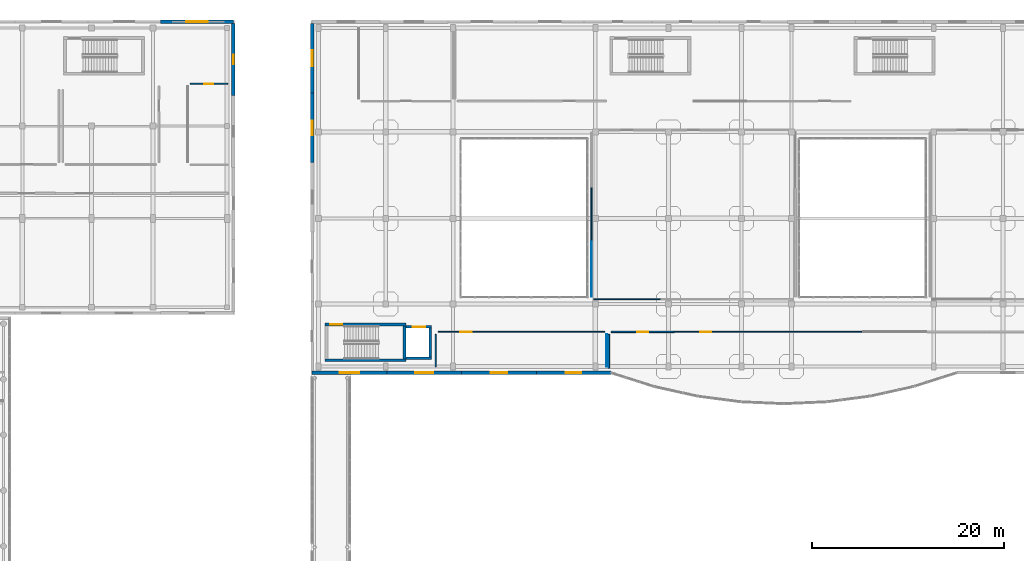
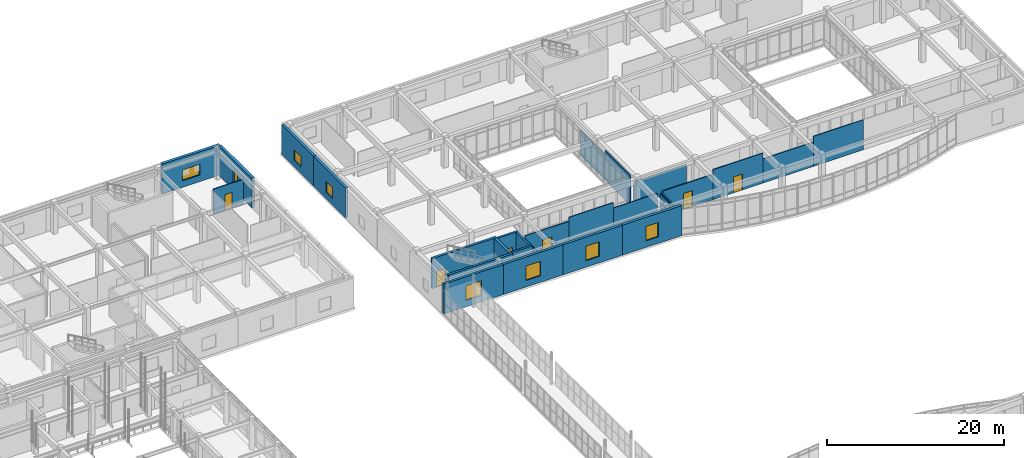
# One storey, part 125 of 142: 28 walls, 8 windows, 6 doors, 14 openings.
"""IFC4 building model written with IfcOpenShell, lengths in metres."""

from ifc_helpers import new_model, si_unit, direction, frame, frame_2d, origin, place, context, subcontext, project, spatial, rectangle, extrude, material, layer, layer_set, type_object, element, fill, save


model = new_model("IFC4")

# Units and contexts
model_context = context("Model", 3, precision=1e-05, world=origin(), true_north=direction((0.0, 1.0)))
body_context = subcontext(model_context, "Body", "Model", "MODEL_VIEW")
ifc_project = project(units=[si_unit("LENGTHUNIT", "METRE"), si_unit("AREAUNIT", "SQUARE_METRE"), si_unit("VOLUMEUNIT", "CUBIC_METRE"), si_unit("PLANEANGLEUNIT", "RADIAN"), si_unit("MASSUNIT", "GRAM", prefix="KILO")], contexts=[model_context])

# Site, building, storey
site_placement = place(None, origin())
site = spatial("IfcSite", under=ifc_project, at=site_placement, CompositionType="ELEMENT")
building_placement = place(site_placement, origin())
building = spatial("IfcBuilding", under=site, at=building_placement, Name="Valcora Specialist Clinic", CompositionType="ELEMENT")
storey_placement = place(building_placement, frame((0.0, 0.0, 5.10009765625)))
storey = spatial("IfcBuildingStorey", under=building, at=storey_placement, Name="L01", CompositionType="ELEMENT", Elevation=5.10009765625)

# Wall
ifc_material_1 = material(Name="Concrete C40/50", Category="concrete")
ifc_layer_1 = layer(ifc_material_1, 0.300048828125)
ifc_layer_set_1 = layer_set([ifc_layer_1], Name="Concrete C40/50")
wall_type_1 = type_object("IfcWallType", Name="TY-WL-CR300", PredefinedType="SHEAR", material=ifc_layer_set_1)
wall_1_placement = place(storey_placement, frame((62.699951171875, 75.449951171875, 0.0), z_axis=(0.0, 0.0, 1.0), x_axis=(1.0, 0.0, 0.0)))
element("IfcWall", 1, at=wall_1_placement, inside=storey, type_object=wall_type_1, Name="Core shear wall WL-CR-C-V4A-L01-S", PredefinedType="SHEAR", context=body_context, shape_type="SweptSolid", body=[
    extrude(rectangle(XDim=8.420166015625, YDim=0.300048828125, at=frame_2d((4.2099609375, 0.0))), origin(), (0.0, 0.0, 1.0), 4.14501953125),
])

# Wall, opening, door
wall_2_placement = place(storey_placement, frame((62.699951171875, 79.14990234375, 0.0), z_axis=(0.0, 0.0, 1.0), x_axis=(1.0, 0.0, 0.0)))
wall_2 = element("IfcWall", 2, at=wall_2_placement, inside=storey, type_object=wall_type_1, Name="Core shear wall WL-CR-C-V4A-L01-N", PredefinedType="SHEAR", context=body_context, shape_type="SweptSolid", body=[
    extrude(rectangle(XDim=8.420166015625, YDim=0.300048828125, at=frame_2d((4.2099609375, 0.0))), origin(), (0.0, 0.0, 1.0), 4.14501953125),
])
opening_1_placement = place(wall_2_placement, frame((0.550048828125, 0.0, 0.0)))
opening_1 = element("IfcOpeningElement", 3, at=opening_1_placement, cuts=wall_2, Name="Opening DR-FD-120", PredefinedType="OPENING", context=body_context, shape_type="SweptSolid", body=[
    extrude(rectangle(XDim=1.199951171875, YDim=2.199951171875, at=frame_2d((0.60009765625, 1.10009765625))), frame((0.0, 0.159912109375, 0.0), z_axis=(0.0, -1.0, 0.0), x_axis=(1.0, 0.0, 0.0)), (0.0, 0.0, 1.0), 0.320068359375),
])
ifc_material_2 = material(Name="Galvanized Hollow Metal Door Steel ASTM A653", Category="steel")
door_type_1 = type_object("IfcDoorType", Name="TY-DR-ST120", OperationType="NOTDEFINED", PredefinedType="DOOR", material=ifc_material_2)
door_1_placement = place(opening_1_placement, origin())
door_1 = element("IfcDoor", 4, at=door_1_placement, inside=storey, type_object=door_type_1, Name="Exit stair fire door C-V4A L01", OperationType="SINGLE_SWING_RIGHT", OverallHeight=2.199951171875, OverallWidth=1.199951171875, PredefinedType="DOOR", context=body_context, shape_type="SweptSolid", body=[
    extrude(rectangle(XDim=1.199951171875, YDim=2.199951171875, at=frame_2d((0.60009765625, 1.10009765625))), frame((0.0, 0.02490234375, 0.0), z_axis=(0.0, -1.0, 0.0), x_axis=(1.0, 0.0, 0.0)), (0.0, 0.0, 1.0), 0.050048828125),
])
fill(opening_1, door_1)

# Wall
ifc_layer_2 = layer(ifc_material_1, 0.320068359375)
ifc_layer_set_2 = layer_set([ifc_layer_2], Name="Concrete C40/50")
wall_type_2 = type_object("IfcWallType", Name="TY-WL-CR320", PredefinedType="SHEAR", material=ifc_layer_set_2)
wall_3_placement = place(storey_placement, frame((70.9599609375, 75.60205078125, 0.0), z_axis=(0.0, 0.0, 1.0), x_axis=(0.0, 1.0, 0.0)))
element("IfcWall", 5, at=wall_3_placement, inside=storey, type_object=wall_type_2, Name="Core shear wall WL-CR-C-V4A-L01-E", PredefinedType="SHEAR", context=body_context, shape_type="SweptSolid", body=[
    extrude(rectangle(XDim=3.39599609375, YDim=0.320068359375, at=frame_2d((1.697998046875, 0.0))), origin(), (0.0, 0.0, 1.0), 4.14501953125),
])

# Wall, opening, window
ifc_material_3 = material(Name="Extruded Jalisco Clay Brick Masonry", Category="masonry")
ifc_layer_3 = layer(ifc_material_3, 0.324951171875)
ifc_layer_set_3 = layer_set([ifc_layer_3], Name="Extruded Jalisco Clay Brick Masonry")
wall_type_3 = type_object("IfcWallType", Name="TY-WL-EW325", PredefinedType="SOLIDWALL", material=ifc_layer_set_3)
wall_4_placement = place(storey_placement, frame((69.118408203125, 74.14990234375, 0.0), z_axis=(0.0, 0.0, 1.0), x_axis=(-1.0, 0.0, 0.0)))
wall_4 = element("IfcWall", 6, at=wall_4_placement, inside=storey, type_object=wall_type_3, Name="Exterior wall WL-EXT-L01-0174", PredefinedType="SOLIDWALL", context=body_context, shape_type="SweptSolid", body=[
    extrude(rectangle(XDim=7.768310546875, YDim=0.324951171875, at=frame_2d((3.88427734375, 0.0))), origin(), (0.0, 0.0, 1.0), 4.14501953125),
])
opening_2_placement = place(wall_4_placement, frame((2.85888671875, 0.0, 0.89990234375)))
opening_2 = element("IfcOpeningElement", 7, at=opening_2_placement, cuts=wall_4, Name="Opening WN-27", PredefinedType="OPENING", context=body_context, shape_type="SweptSolid", body=[
    extrude(rectangle(XDim=2.050048828125, YDim=2.0, at=frame_2d((1.02490234375, 1.0))), frame((0.0, 0.17236328125, 0.0), z_axis=(0.0, -1.0, 0.0), x_axis=(1.0, 0.0, 0.0)), (0.0, 0.0, 1.0), 0.344970703125),
])
ifc_material_4 = material(Name="Low-E Laminated Insulating Glass", Category="glass")
window_type_1 = type_object("IfcWindowType", Name="TY-WN-27", PartitioningType="SINGLE_PANEL", PredefinedType="WINDOW", material=ifc_material_4)
window_1_placement = place(opening_2_placement, origin())
window_1 = element("IfcWindow", 8, at=window_1_placement, inside=storey, type_object=window_type_1, Name="Facade window WN-L01-0153", OverallHeight=2.0, OverallWidth=2.050048828125, PartitioningType="SINGLE_PANEL", PredefinedType="WINDOW", context=body_context, shape_type="SweptSolid", body=[
    extrude(rectangle(XDim=2.050048828125, YDim=2.0, at=frame_2d((1.02490234375, 1.0))), frame((0.0, 0.030029296875, 0.0), z_axis=(0.0, -1.0, 0.0), x_axis=(1.0, 0.0, 0.0)), (0.0, 0.0, 1.0), 0.06005859375),
])
fill(opening_2, window_1)

ifc_layer_4 = layer(ifc_material_3, 0.340087890625)
ifc_layer_set_4 = layer_set([ifc_layer_4], Name="Extruded Jalisco Clay Brick Masonry")
wall_type_4 = type_object("IfcWallType", Name="TY-WL-EW340", PredefinedType="SOLIDWALL", material=ifc_layer_set_4)
wall_5_placement = place(storey_placement, frame((61.35009765625, 103.236083984375, 0.0), z_axis=(0.0, 0.0, 1.0), x_axis=(0.0, 1.0, 0.0)))
wall_5 = element("IfcWall", 9, at=wall_5_placement, inside=storey, type_object=wall_type_4, Name="Exterior wall WL-EXT-L01-0153", PredefinedType="SOLIDWALL", context=body_context, shape_type="SweptSolid", body=[
    extrude(rectangle(XDim=7.223876953125, YDim=0.340087890625, at=frame_2d((3.61181640625, 0.0))), origin(), (0.0, 0.0, 1.0), 4.14501953125),
])
opening_3_placement = place(wall_5_placement, frame((2.787109375, 0.0, 0.89990234375)))
opening_3 = element("IfcOpeningElement", 10, at=opening_3_placement, cuts=wall_5, Name="Opening WN-06", PredefinedType="OPENING", context=body_context, shape_type="SweptSolid", body=[
    extrude(rectangle(XDim=1.64990234375, YDim=1.5, at=frame_2d((0.824951171875, 0.75))), frame((0.0, 0.179931640625, 0.0), z_axis=(0.0, -1.0, 0.0), x_axis=(1.0, 0.0, 0.0)), (0.0, 0.0, 1.0), 0.360107421875),
])
window_type_2 = type_object("IfcWindowType", Name="TY-WN-06", PartitioningType="SINGLE_PANEL", PredefinedType="WINDOW", material=ifc_material_4)
window_2_placement = place(opening_3_placement, origin())
window_2 = element("IfcWindow", 11, at=window_2_placement, inside=storey, type_object=window_type_2, Name="Facade window WN-L01-0132", OverallHeight=1.5, OverallWidth=1.64990234375, PartitioningType="SINGLE_PANEL", PredefinedType="WINDOW", context=body_context, shape_type="SweptSolid", body=[
    extrude(rectangle(XDim=1.64990234375, YDim=1.5, at=frame_2d((0.824951171875, 0.75))), frame((0.0, 0.030029296875, 0.0), z_axis=(0.0, -1.0, 0.0), x_axis=(1.0, 0.0, 0.0)), (0.0, 0.0, 1.0), 0.06005859375),
])
fill(opening_3, window_2)

wall_6_placement = place(storey_placement, frame((76.88671875, 74.14990234375, 0.0), z_axis=(0.0, 0.0, 1.0), x_axis=(-1.0, 0.0, 0.0)))
wall_6 = element("IfcWall", 12, at=wall_6_placement, inside=storey, type_object=wall_type_4, Name="Exterior wall WL-EXT-L01-0173", PredefinedType="SOLIDWALL", context=body_context, shape_type="SweptSolid", body=[
    extrude(rectangle(XDim=7.768310546875, YDim=0.340087890625, at=frame_2d((3.88427734375, 0.0))), origin(), (0.0, 0.0, 1.0), 4.14501953125),
])
opening_4_placement = place(wall_6_placement, frame((2.93408203125, 0.0, 0.89990234375)))
opening_4 = element("IfcOpeningElement", 13, at=opening_4_placement, cuts=wall_6, Name="Opening WN-26", PredefinedType="OPENING", context=body_context, shape_type="SweptSolid", body=[
    extrude(rectangle(XDim=1.89990234375, YDim=2.0, at=frame_2d((0.949951171875, 1.0))), frame((0.0, 0.179931640625, 0.0), z_axis=(0.0, -1.0, 0.0), x_axis=(1.0, 0.0, 0.0)), (0.0, 0.0, 1.0), 0.360107421875),
])
window_type_3 = type_object("IfcWindowType", Name="TY-WN-26", PartitioningType="SINGLE_PANEL", PredefinedType="WINDOW", material=ifc_material_4)
window_3_placement = place(opening_4_placement, origin())
window_3 = element("IfcWindow", 14, at=window_3_placement, inside=storey, type_object=window_type_3, Name="Facade window WN-L01-0152", OverallHeight=2.0, OverallWidth=1.89990234375, PartitioningType="SINGLE_PANEL", PredefinedType="WINDOW", context=body_context, shape_type="SweptSolid", body=[
    extrude(rectangle(XDim=1.89990234375, YDim=2.0, at=frame_2d((0.949951171875, 1.0))), frame((0.0, 0.030029296875, 0.0), z_axis=(0.0, -1.0, 0.0), x_axis=(1.0, 0.0, 0.0)), (0.0, 0.0, 1.0), 0.06005859375),
])
fill(opening_4, window_3)

ifc_layer_5 = layer(ifc_material_3, 0.35498046875)
ifc_layer_set_5 = layer_set([ifc_layer_5], Name="Extruded Jalisco Clay Brick Masonry")
wall_type_5 = type_object("IfcWallType", Name="TY-WL-EW355", PredefinedType="SOLIDWALL", material=ifc_layer_set_5)
wall_7_placement = place(storey_placement, frame((53.14990234375, 110.4599609375, 0.0), z_axis=(0.0, 0.0, 1.0), x_axis=(0.0, -1.0, 0.0)))
wall_7 = element("IfcWall", 15, at=wall_7_placement, inside=storey, type_object=wall_type_5, Name="Exterior wall WL-EXT-L01-0072", PredefinedType="SOLIDWALL", context=body_context, shape_type="SweptSolid", body=[
    extrude(rectangle(XDim=7.47998046875, YDim=0.35498046875, at=frame_2d((3.739990234375, 0.0))), origin(), (0.0, 0.0, 1.0), 4.1298828125),
])
opening_5_placement = place(wall_7_placement, frame((3.264892578125, 0.0, 0.89990234375)))
opening_5 = element("IfcOpeningElement", 16, at=opening_5_placement, cuts=wall_7, Name="Opening WN-11", PredefinedType="OPENING", context=body_context, shape_type="SweptSolid", body=[
    extrude(rectangle(XDim=0.949951171875, YDim=1.75, at=frame_2d((0.47509765625, 0.875))), frame((0.0, 0.1875, 0.0), z_axis=(0.0, -1.0, 0.0), x_axis=(1.0, 0.0, 0.0)), (0.0, 0.0, 1.0), 0.375),
])
window_type_4 = type_object("IfcWindowType", Name="TY-WN-11", PartitioningType="SINGLE_PANEL", PredefinedType="WINDOW", material=ifc_material_4)
window_4_placement = place(opening_5_placement, origin())
window_4 = element("IfcWindow", 17, at=window_4_placement, inside=storey, type_object=window_type_4, Name="Facade window WN-L01-0053", OverallHeight=1.75, OverallWidth=0.949951171875, PartitioningType="SINGLE_PANEL", PredefinedType="WINDOW", context=body_context, shape_type="SweptSolid", body=[
    extrude(rectangle(XDim=0.949951171875, YDim=1.75, at=frame_2d((0.47509765625, 0.875))), frame((0.0, 0.030029296875, 0.0), z_axis=(0.0, -1.0, 0.0), x_axis=(1.0, 0.0, 0.0)), (0.0, 0.0, 1.0), 0.06005859375),
])
fill(opening_5, window_4)

wall_8_placement = place(storey_placement, frame((61.35009765625, 96.011962890625, 0.0), z_axis=(0.0, 0.0, 1.0), x_axis=(0.0, 1.0, 0.0)))
wall_8 = element("IfcWall", 18, at=wall_8_placement, inside=storey, type_object=wall_type_5, Name="Exterior wall WL-EXT-L01-0152", PredefinedType="SOLIDWALL", context=body_context, shape_type="SweptSolid", body=[
    extrude(rectangle(XDim=7.22412109375, YDim=0.35498046875, at=frame_2d((3.612060546875, 0.0))), origin(), (0.0, 0.0, 1.0), 4.14501953125),
])
opening_6_placement = place(wall_8_placement, frame((2.862060546875, 0.0, 0.89990234375)))
opening_6 = element("IfcOpeningElement", 19, at=opening_6_placement, cuts=wall_8, Name="Opening WN-05", PredefinedType="OPENING", context=body_context, shape_type="SweptSolid", body=[
    extrude(rectangle(XDim=1.5, YDim=1.5, at=frame_2d((0.75, 0.75))), frame((0.0, 0.1875, 0.0), z_axis=(0.0, -1.0, 0.0), x_axis=(1.0, 0.0, 0.0)), (0.0, 0.0, 1.0), 0.375),
])
window_type_5 = type_object("IfcWindowType", Name="TY-WN-05", PartitioningType="SINGLE_PANEL", PredefinedType="WINDOW", material=ifc_material_4)
window_5_placement = place(opening_6_placement, origin())
window_5 = element("IfcWindow", 20, at=window_5_placement, inside=storey, type_object=window_type_5, Name="Facade window WN-L01-0131", OverallHeight=1.5, OverallWidth=1.5, PartitioningType="SINGLE_PANEL", PredefinedType="WINDOW", context=body_context, shape_type="SweptSolid", body=[
    extrude(rectangle(XDim=1.5, YDim=1.5, at=frame_2d((0.75, 0.75))), frame((0.0, 0.030029296875, 0.0), z_axis=(0.0, -1.0, 0.0), x_axis=(1.0, 0.0, 0.0)), (0.0, 0.0, 1.0), 0.06005859375),
])
fill(opening_6, window_5)

wall_9_placement = place(storey_placement, frame((84.655029296875, 74.14990234375, 0.0), z_axis=(0.0, 0.0, 1.0), x_axis=(-1.0, 0.0, 0.0)))
wall_9 = element("IfcWall", 21, at=wall_9_placement, inside=storey, type_object=wall_type_5, Name="Exterior wall WL-EXT-L01-0172", PredefinedType="SOLIDWALL", context=body_context, shape_type="SweptSolid", body=[
    extrude(rectangle(XDim=7.768310546875, YDim=0.35498046875, at=frame_2d((3.88427734375, 0.0))), origin(), (0.0, 0.0, 1.0), 4.14501953125),
])
opening_7_placement = place(wall_9_placement, frame((3.009033203125, 0.0, 0.89990234375)))
opening_7 = element("IfcOpeningElement", 22, at=opening_7_placement, cuts=wall_9, Name="Opening WN-25", PredefinedType="OPENING", context=body_context, shape_type="SweptSolid", body=[
    extrude(rectangle(XDim=1.75, YDim=2.0, at=frame_2d((0.875, 1.0))), frame((0.0, 0.1875, 0.0), z_axis=(0.0, -1.0, 0.0), x_axis=(1.0, 0.0, 0.0)), (0.0, 0.0, 1.0), 0.375),
])
window_type_6 = type_object("IfcWindowType", Name="TY-WN-25", PartitioningType="SINGLE_PANEL", PredefinedType="WINDOW", material=ifc_material_4)
window_6_placement = place(opening_7_placement, origin())
window_6 = element("IfcWindow", 23, at=window_6_placement, inside=storey, type_object=window_type_6, Name="Facade window WN-L01-0151", OverallHeight=2.0, OverallWidth=1.75, PartitioningType="SINGLE_PANEL", PredefinedType="WINDOW", context=body_context, shape_type="SweptSolid", body=[
    extrude(rectangle(XDim=1.75, YDim=2.0, at=frame_2d((0.875, 1.0))), frame((0.0, 0.030029296875, 0.0), z_axis=(0.0, -1.0, 0.0), x_axis=(1.0, 0.0, 0.0)), (0.0, 0.0, 1.0), 0.06005859375),
])
fill(opening_7, window_6)

ifc_layer_6 = layer(ifc_material_3, 0.3701171875)
ifc_layer_set_6 = layer_set([ifc_layer_6], Name="Extruded Jalisco Clay Brick Masonry")
wall_type_6 = type_object("IfcWallType", Name="TY-WL-EW370", PredefinedType="SOLIDWALL", material=ifc_layer_set_6)
wall_10_placement = place(storey_placement, frame((45.57861328125, 110.64990234375, 0.0), z_axis=(0.0, 0.0, 1.0), x_axis=(1.0, 0.0, 0.0)))
wall_10 = element("IfcWall", 24, at=wall_10_placement, inside=storey, type_object=wall_type_6, Name="Exterior wall WL-EXT-L01-0071", PredefinedType="SOLIDWALL", context=body_context, shape_type="SweptSolid", body=[
    extrude(rectangle(XDim=7.5712890625, YDim=0.3701171875, at=frame_2d((3.78564453125, 0.0))), origin(), (0.0, 0.0, 1.0), 4.1298828125),
])
opening_8_placement = place(wall_10_placement, frame((2.660888671875, 0.0, 0.89990234375)))
opening_8 = element("IfcOpeningElement", 25, at=opening_8_placement, cuts=wall_10, Name="Opening WN-10", PredefinedType="OPENING", context=body_context, shape_type="SweptSolid", body=[
    extrude(rectangle(XDim=2.25, YDim=1.5, at=frame_2d((1.125, 0.75))), frame((0.0, 0.195068359375, 0.0), z_axis=(0.0, -1.0, 0.0), x_axis=(1.0, 0.0, 0.0)), (0.0, 0.0, 1.0), 0.39013671875),
])
window_type_7 = type_object("IfcWindowType", Name="TY-WN-10", PartitioningType="SINGLE_PANEL", PredefinedType="WINDOW", material=ifc_material_4)
window_7_placement = place(opening_8_placement, origin())
window_7 = element("IfcWindow", 26, at=window_7_placement, inside=storey, type_object=window_type_7, Name="Facade window WN-L01-0052", OverallHeight=1.5, OverallWidth=2.25, PartitioningType="SINGLE_PANEL", PredefinedType="WINDOW", context=body_context, shape_type="SweptSolid", body=[
    extrude(rectangle(XDim=2.25, YDim=1.5, at=frame_2d((1.125, 0.75))), frame((0.0, 0.030029296875, 0.0), z_axis=(0.0, -1.0, 0.0), x_axis=(1.0, 0.0, 0.0)), (0.0, 0.0, 1.0), 0.06005859375),
])
fill(opening_8, window_7)

wall_11_placement = place(storey_placement, frame((92.42333984375, 74.14990234375, 0.0), z_axis=(0.0, 0.0, 1.0), x_axis=(-1.0, 0.0, 0.0)))
wall_11 = element("IfcWall", 27, at=wall_11_placement, inside=storey, type_object=wall_type_6, Name="Exterior wall WL-EXT-L01-0171", PredefinedType="SOLIDWALL", context=body_context, shape_type="SweptSolid", body=[
    extrude(rectangle(XDim=7.768310546875, YDim=0.3701171875, at=frame_2d((3.88427734375, 0.0))), origin(), (0.0, 0.0, 1.0), 4.14501953125),
])
opening_9_placement = place(wall_11_placement, frame((3.083984375, 0.0, 0.89990234375)))
opening_9 = element("IfcOpeningElement", 28, at=opening_9_placement, cuts=wall_11, Name="Opening WN-24", PredefinedType="OPENING", context=body_context, shape_type="SweptSolid", body=[
    extrude(rectangle(XDim=1.60009765625, YDim=2.0, at=frame_2d((0.800048828125, 1.0))), frame((0.0, 0.195068359375, 0.0), z_axis=(0.0, -1.0, 0.0), x_axis=(1.0, 0.0, 0.0)), (0.0, 0.0, 1.0), 0.39013671875),
])
window_type_8 = type_object("IfcWindowType", Name="TY-WN-24", PartitioningType="SINGLE_PANEL", PredefinedType="WINDOW", material=ifc_material_4)
window_8_placement = place(opening_9_placement, origin())
window_8 = element("IfcWindow", 29, at=window_8_placement, inside=storey, type_object=window_type_8, Name="Facade window WN-L01-0150", OverallHeight=2.0, OverallWidth=1.60009765625, PartitioningType="SINGLE_PANEL", PredefinedType="WINDOW", context=body_context, shape_type="SweptSolid", body=[
    extrude(rectangle(XDim=1.60009765625, YDim=2.0, at=frame_2d((0.800048828125, 1.0))), frame((0.0, 0.030029296875, 0.0), z_axis=(0.0, -1.0, 0.0), x_axis=(1.0, 0.0, 0.0)), (0.0, 0.0, 1.0), 0.06005859375),
])
fill(opening_9, window_8)

# Walls
ifc_material_5 = material(Name="Gypsum Board Partition Assembly")
ifc_layer_7 = layer(ifc_material_5, 0.094970703125)
ifc_layer_set_7 = layer_set([ifc_layer_7], Name="Gypsum Board Partition Assembly")
wall_type_7 = type_object("IfcWallType", Name="TY-WL-PT095", PredefinedType="PARTITIONING", material=ifc_layer_set_7)
wall_12_placement = place(storey_placement, frame((92.0, 78.14990234375, 0.0), z_axis=(0.0, 0.0, 1.0), x_axis=(0.0, -1.0, 0.0)))
element("IfcWall", 30, at=wall_12_placement, inside=storey, type_object=wall_type_7, Name="Interior partition WL-INT-L01-0203", PredefinedType="PARTITIONING", context=body_context, shape_type="SweptSolid", body=[
    extrude(rectangle(XDim=3.39990234375, YDim=0.094970703125, at=frame_2d((1.699951171875, 0.0))), origin(), (0.0, 0.0, 1.0), 3.44482421875),
])
wall_13_placement = place(storey_placement, frame((90.39990234375, 82.050048828125, 0.0), z_axis=(0.0, 0.0, 1.0), x_axis=(0.0, 1.0, 0.0)))
element("IfcWall", 31, at=wall_13_placement, inside=storey, type_object=wall_type_7, Name="Interior partition WL-INT-L01-0221", PredefinedType="PARTITIONING", context=body_context, shape_type="SweptSolid", body=[
    extrude(rectangle(XDim=5.699951171875, YDim=0.094970703125, at=frame_2d((2.85009765625, 0.0))), origin(), (0.0, 0.0, 1.0), 4.14501953125),
])
ifc_layer_8 = layer(ifc_material_5, 0.10498046875)
ifc_layer_set_8 = layer_set([ifc_layer_8], Name="Gypsum Board Partition Assembly")
wall_type_8 = type_object("IfcWallType", Name="TY-WL-PT105", PredefinedType="PARTITIONING", material=ifc_layer_set_8)
wall_14_placement = place(storey_placement, frame((85.98291015625, 78.39990234375, 0.0), z_axis=(0.0, 0.0, 1.0), x_axis=(1.0, 0.0, 0.0)))
element("IfcWall", 32, at=wall_14_placement, inside=storey, type_object=wall_type_8, Name="Interior partition WL-INT-L01-0202", PredefinedType="PARTITIONING", context=body_context, shape_type="SweptSolid", body=[
    extrude(rectangle(XDim=5.76708984375, YDim=0.10498046875, at=frame_2d((2.883544921875, 0.0))), origin(), (0.0, 0.0, 1.0), 3.39501953125),
])
wall_15_placement = place(storey_placement, frame((112.12109375, 78.39990234375, 0.0), z_axis=(0.0, 0.0, 1.0), x_axis=(1.0, 0.0, 0.0)))
element("IfcWall", 33, at=wall_15_placement, inside=storey, type_object=wall_type_8, Name="Interior partition WL-INT-L01-0208", PredefinedType="PARTITIONING", context=body_context, shape_type="SweptSolid", body=[
    extrude(rectangle(XDim=6.557861328125, YDim=0.10498046875, at=frame_2d((3.27880859375, 0.0))), origin(), (0.0, 0.0, 1.0), 4.14501953125),
])
wall_16_placement = place(storey_placement, frame((97.550048828125, 81.800048828125, 0.0), z_axis=(0.0, 0.0, 1.0), x_axis=(-1.0, 0.0, 0.0)))
element("IfcWall", 34, at=wall_16_placement, inside=storey, type_object=wall_type_8, Name="Interior partition WL-INT-L01-0220", PredefinedType="PARTITIONING", context=body_context, shape_type="SweptSolid", body=[
    extrude(rectangle(XDim=6.900146484375, YDim=0.10498046875, at=frame_2d((3.4501953125, 0.0))), origin(), (0.0, 0.0, 1.0), 3.344970703125),
])

# Wall, opening, door
ifc_layer_9 = layer(ifc_material_5, 0.114990234375)
ifc_layer_set_9 = layer_set([ifc_layer_9], Name="Gypsum Board Partition Assembly")
wall_type_9 = type_object("IfcWallType", Name="TY-WL-PT115", PredefinedType="PARTITIONING", material=ifc_layer_set_9)
wall_17_placement = place(storey_placement, frame((48.64990234375, 104.199951171875, 0.0), z_axis=(0.0, 0.0, 1.0), x_axis=(1.0, 0.0, 0.0)))
wall_17 = element("IfcWall", 35, at=wall_17_placement, inside=storey, type_object=wall_type_9, Name="Interior partition WL-INT-L01-0189", PredefinedType="PARTITIONING", context=body_context, shape_type="SweptSolid", body=[
    extrude(rectangle(XDim=3.900146484375, YDim=0.114990234375, at=frame_2d((1.9501953125, 0.0))), origin(), (0.0, 0.0, 1.0), 3.429931640625),
])
opening_10_placement = place(wall_17_placement, frame((1.47509765625, 0.0, 0.0)))
opening_10 = element("IfcOpeningElement", 36, at=opening_10_placement, cuts=wall_17, Name="Opening DR-WC-095", PredefinedType="OPENING", context=body_context, shape_type="SweptSolid", body=[
    extrude(rectangle(XDim=0.949951171875, YDim=2.14990234375, at=frame_2d((0.47509765625, 1.074951171875))), frame((0.0, 0.0673828125, 0.0), z_axis=(0.0, -1.0, 0.0), x_axis=(1.0, 0.0, 0.0)), (0.0, 0.0, 1.0), 0.135009765625),
])
ifc_material_6 = material(Name="Glulam Conifer Class 24F", Category="wood")
door_type_2 = type_object("IfcDoorType", Name="TY-DR-WC095", OperationType="NOTDEFINED", PredefinedType="DOOR", material=ifc_material_6)
door_2_placement = place(opening_10_placement, origin())
door_2 = element("IfcDoor", 37, at=door_2_placement, inside=storey, type_object=door_type_2, Name="Interior door DR-INT-L01-0055", OperationType="SINGLE_SWING_LEFT", OverallHeight=2.14990234375, OverallWidth=0.949951171875, PredefinedType="DOOR", context=body_context, shape_type="SweptSolid", body=[
    extrude(rectangle(XDim=0.949951171875, YDim=2.14990234375, at=frame_2d((0.47509765625, 1.074951171875))), frame((0.0, 0.02490234375, 0.0), z_axis=(0.0, -1.0, 0.0), x_axis=(1.0, 0.0, 0.0)), (0.0, 0.0, 1.0), 0.050048828125),
])
fill(opening_10, door_2)

# Walls
wall_18_placement = place(storey_placement, frame((80.217041015625, 78.39990234375, 0.0), z_axis=(0.0, 0.0, 1.0), x_axis=(1.0, 0.0, 0.0)))
element("IfcWall", 38, at=wall_18_placement, inside=storey, type_object=wall_type_9, Name="Interior partition WL-INT-L01-0201", PredefinedType="PARTITIONING", context=body_context, shape_type="SweptSolid", body=[
    extrude(rectangle(XDim=5.765869140625, YDim=0.114990234375, at=frame_2d((2.8828125, 0.0))), origin(), (0.0, 0.0, 1.0), 4.14501953125),
])
wall_19_placement = place(storey_placement, frame((105.56396484375, 78.39990234375, 0.0), z_axis=(0.0, 0.0, 1.0), x_axis=(1.0, 0.0, 0.0)))
element("IfcWall", 39, at=wall_19_placement, inside=storey, type_object=wall_type_9, Name="Interior partition WL-INT-L01-0207", PredefinedType="PARTITIONING", context=body_context, shape_type="SweptSolid", body=[
    extrude(rectangle(XDim=6.55712890625, YDim=0.114990234375, at=frame_2d((3.278564453125, 0.0))), origin(), (0.0, 0.0, 1.0), 3.344970703125),
])

# Wall, opening, door
ifc_layer_10 = layer(ifc_material_5, 0.125)
ifc_layer_set_10 = layer_set([ifc_layer_10], Name="Gypsum Board Partition Assembly")
wall_type_10 = type_object("IfcWallType", Name="TY-WL-PT125", PredefinedType="PARTITIONING", material=ifc_layer_set_10)
wall_20_placement = place(storey_placement, frame((74.449951171875, 78.39990234375, 0.0), z_axis=(0.0, 0.0, 1.0), x_axis=(1.0, 0.0, 0.0)))
wall_20 = element("IfcWall", 40, at=wall_20_placement, inside=storey, type_object=wall_type_10, Name="Interior partition WL-INT-L01-0200", PredefinedType="PARTITIONING", context=body_context, shape_type="SweptSolid", body=[
    extrude(rectangle(XDim=5.76708984375, YDim=0.125, at=frame_2d((2.883544921875, 0.0))), origin(), (0.0, 0.0, 1.0), 3.594970703125),
])
opening_11_placement = place(wall_20_placement, frame((2.27294921875, 0.0, 0.0)))
opening_11 = element("IfcOpeningElement", 41, at=opening_11_placement, cuts=wall_20, Name="Opening DR-CN-122", PredefinedType="OPENING", context=body_context, shape_type="SweptSolid", body=[
    extrude(rectangle(XDim=1.219970703125, YDim=2.199951171875, at=frame_2d((0.60986328125, 1.10009765625))), frame((0.0, 0.072509765625, 0.0), z_axis=(0.0, -1.0, 0.0), x_axis=(1.0, 0.0, 0.0)), (0.0, 0.0, 1.0), 0.14501953125),
])
door_type_3 = type_object("IfcDoorType", Name="TY-DR-CN122", OperationType="NOTDEFINED", PredefinedType="DOOR", material=ifc_material_6)
door_3_placement = place(opening_11_placement, origin())
door_3 = element("IfcDoor", 42, at=door_3_placement, inside=storey, type_object=door_type_3, Name="Interior door DR-INT-L01-0057", OperationType="SINGLE_SWING_LEFT", OverallHeight=2.199951171875, OverallWidth=1.219970703125, PredefinedType="DOOR", context=body_context, shape_type="SweptSolid", body=[
    extrude(rectangle(XDim=1.219970703125, YDim=2.199951171875, at=frame_2d((0.60986328125, 1.10009765625))), frame((0.0, 0.02490234375, 0.0), z_axis=(0.0, -1.0, 0.0), x_axis=(1.0, 0.0, 0.0)), (0.0, 0.0, 1.0), 0.050048828125),
])
fill(opening_11, door_3)

wall_21_placement = place(storey_placement, frame((99.007080078125, 78.39990234375, 0.0), z_axis=(0.0, 0.0, 1.0), x_axis=(1.0, 0.0, 0.0)))
wall_21 = element("IfcWall", 43, at=wall_21_placement, inside=storey, type_object=wall_type_10, Name="Interior partition WL-INT-L01-0206", PredefinedType="PARTITIONING", context=body_context, shape_type="SweptSolid", body=[
    extrude(rectangle(XDim=6.556884765625, YDim=0.125, at=frame_2d((3.2783203125, 0.0))), origin(), (0.0, 0.0, 1.0), 4.14501953125),
])
opening_12_placement = place(wall_21_placement, frame((2.7080078125, 0.0, 0.0)))
opening_12 = element("IfcOpeningElement", 44, at=opening_12_placement, cuts=wall_21, Name="Opening DR-CN-114", PredefinedType="OPENING", context=body_context, shape_type="SweptSolid", body=[
    extrude(rectangle(XDim=1.139892578125, YDim=2.199951171875, at=frame_2d((0.56982421875, 1.10009765625))), frame((0.0, 0.072509765625, 0.0), z_axis=(0.0, -1.0, 0.0), x_axis=(1.0, 0.0, 0.0)), (0.0, 0.0, 1.0), 0.14501953125),
])
door_type_4 = type_object("IfcDoorType", Name="TY-DR-CN114", OperationType="NOTDEFINED", PredefinedType="DOOR", material=ifc_material_6)
door_4_placement = place(opening_12_placement, origin())
door_4 = element("IfcDoor", 45, at=door_4_placement, inside=storey, type_object=door_type_4, Name="Interior door DR-INT-L01-0059", OperationType="SINGLE_SWING_LEFT", OverallHeight=2.199951171875, OverallWidth=1.139892578125, PredefinedType="DOOR", context=body_context, shape_type="SweptSolid", body=[
    extrude(rectangle(XDim=1.139892578125, YDim=2.199951171875, at=frame_2d((0.56982421875, 1.10009765625))), frame((0.0, 0.02490234375, 0.0), z_axis=(0.0, -1.0, 0.0), x_axis=(1.0, 0.0, 0.0)), (0.0, 0.0, 1.0), 0.050048828125),
])
fill(opening_12, door_4)

# Wall
ifc_layer_11 = layer(ifc_material_5, 0.135009765625)
ifc_layer_set_11 = layer_set([ifc_layer_11], Name="Gypsum Board Partition Assembly")
wall_type_11 = type_object("IfcWallType", Name="TY-WL-PT135", PredefinedType="PARTITIONING", material=ifc_layer_set_11)
wall_22_placement = place(storey_placement, frame((74.199951171875, 74.75, 0.0), z_axis=(0.0, 0.0, 1.0), x_axis=(0.0, 1.0, 0.0)))
element("IfcWall", 46, at=wall_22_placement, inside=storey, type_object=wall_type_11, Name="Interior partition WL-INT-L01-0199", PredefinedType="PARTITIONING", context=body_context, shape_type="SweptSolid", body=[
    extrude(rectangle(XDim=3.39990234375, YDim=0.135009765625, at=frame_2d((1.699951171875, 0.0))), origin(), (0.0, 0.0, 1.0), 3.544921875),
])

# Wall, opening, door
wall_23_placement = place(storey_placement, frame((92.449951171875, 78.39990234375, 0.0), z_axis=(0.0, 0.0, 1.0), x_axis=(1.0, 0.0, 0.0)))
wall_23 = element("IfcWall", 47, at=wall_23_placement, inside=storey, type_object=wall_type_11, Name="Interior partition WL-INT-L01-0205", PredefinedType="PARTITIONING", context=body_context, shape_type="SweptSolid", body=[
    extrude(rectangle(XDim=6.55712890625, YDim=0.135009765625, at=frame_2d((3.278564453125, 0.0))), origin(), (0.0, 0.0, 1.0), 3.494873046875),
])
opening_13_placement = place(wall_23_placement, frame((2.68896484375, 0.0, 0.0)))
opening_13 = element("IfcOpeningElement", 48, at=opening_13_placement, cuts=wall_23, Name="Opening DR-CN-118", PredefinedType="OPENING", context=body_context, shape_type="SweptSolid", body=[
    extrude(rectangle(XDim=1.179931640625, YDim=2.199951171875, at=frame_2d((0.58984375, 1.10009765625))), frame((0.0, 0.077392578125, 0.0), z_axis=(0.0, -1.0, 0.0), x_axis=(1.0, 0.0, 0.0)), (0.0, 0.0, 1.0), 0.155029296875),
])
door_type_5 = type_object("IfcDoorType", Name="TY-DR-CN118", OperationType="NOTDEFINED", PredefinedType="DOOR", material=ifc_material_6)
door_5_placement = place(opening_13_placement, origin())
door_5 = element("IfcDoor", 49, at=door_5_placement, inside=storey, type_object=door_type_5, Name="Interior door DR-INT-L01-0058", OperationType="SINGLE_SWING_RIGHT", OverallHeight=2.199951171875, OverallWidth=1.179931640625, PredefinedType="DOOR", context=body_context, shape_type="SweptSolid", body=[
    extrude(rectangle(XDim=1.179931640625, YDim=2.199951171875, at=frame_2d((0.58984375, 1.10009765625))), frame((0.0, 0.02490234375, 0.0), z_axis=(0.0, -1.0, 0.0), x_axis=(1.0, 0.0, 0.0)), (0.0, 0.0, 1.0), 0.050048828125),
])
fill(opening_13, door_5)

# Walls
ifc_layer_12 = layer(ifc_material_5, 0.14501953125)
ifc_layer_set_12 = layer_set([ifc_layer_12], Name="Gypsum Board Partition Assembly")
wall_type_12 = type_object("IfcWallType", Name="TY-WL-PT145", PredefinedType="PARTITIONING", material=ifc_layer_set_12)
wall_24_placement = place(storey_placement, frame((92.199951171875, 74.610107421875, 0.0), z_axis=(0.0, 0.0, 1.0), x_axis=(0.0, 1.0, 0.0)))
element("IfcWall", 50, at=wall_24_placement, inside=storey, type_object=wall_type_12, Name="Interior partition WL-INT-L01-0204", PredefinedType="PARTITIONING", context=body_context, shape_type="SweptSolid", body=[
    extrude(rectangle(XDim=3.539794921875, YDim=0.14501953125, at=frame_2d((1.77001953125, 0.0))), origin(), (0.0, 0.0, 1.0), 3.44482421875),
])
wall_25_placement = place(storey_placement, frame((90.39990234375, 87.75, 0.0), z_axis=(0.0, 0.0, 1.0), x_axis=(0.0, 1.0, 0.0)))
element("IfcWall", 51, at=wall_25_placement, inside=storey, type_object=wall_type_12, Name="Interior partition WL-INT-L01-0222", PredefinedType="PARTITIONING", context=body_context, shape_type="SweptSolid", body=[
    extrude(rectangle(XDim=5.699951171875, YDim=0.14501953125, at=frame_2d((2.85009765625, 0.0))), origin(), (0.0, 0.0, 1.0), 3.494873046875),
])
ifc_layer_13 = layer(ifc_material_1, 0.260009765625)
ifc_layer_set_13 = layer_set([ifc_layer_13], Name="Concrete C40/50")
wall_type_13 = type_object("IfcWallType", Name="TY-WL-SH260", PredefinedType="SHEAR", material=ifc_layer_set_13)
wall_26_placement = place(storey_placement, frame((71.1220703125, 75.669921875, 0.0), z_axis=(0.0, 0.0, 1.0), x_axis=(1.0, 0.0, 0.0)))
element("IfcWall", 52, at=wall_26_placement, inside=storey, type_object=wall_type_13, Name="Lift shaft wall WL-LF-LF-04-L01-LS", PredefinedType="SHEAR", context=body_context, shape_type="SweptSolid", body=[
    extrude(rectangle(XDim=2.657958984375, YDim=0.260009765625, at=frame_2d((1.3291015625, 0.0))), origin(), (0.0, 0.0, 1.0), 4.14501953125),
])

# Wall, opening, door
wall_27_placement = place(storey_placement, frame((71.1220703125, 78.929931640625, 0.0), z_axis=(0.0, 0.0, 1.0), x_axis=(1.0, 0.0, 0.0)))
wall_27 = element("IfcWall", 53, at=wall_27_placement, inside=storey, type_object=wall_type_13, Name="Lift shaft wall WL-LF-LF-04-L01-LN", PredefinedType="SHEAR", context=body_context, shape_type="SweptSolid", body=[
    extrude(rectangle(XDim=2.657958984375, YDim=0.260009765625, at=frame_2d((1.3291015625, 0.0))), origin(), (0.0, 0.0, 1.0), 4.14501953125),
])
opening_14_placement = place(wall_27_placement, frame((0.678955078125, 0.0, 0.0)))
opening_14 = element("IfcOpeningElement", 54, at=opening_14_placement, cuts=wall_27, Name="Opening LD-130", PredefinedType="OPENING", context=body_context, shape_type="SweptSolid", body=[
    extrude(rectangle(XDim=1.300048828125, YDim=2.199951171875, at=frame_2d((0.64990234375, 1.10009765625))), frame((0.0, 0.139892578125, 0.0), z_axis=(0.0, -1.0, 0.0), x_axis=(1.0, 0.0, 0.0)), (0.0, 0.0, 1.0), 0.280029296875),
])
ifc_material_7 = material(Name="Stainless Steel AISI 316", Category="steel")
door_type_6 = type_object("IfcDoorType", Name="TY-LD-130", OperationType="NOTDEFINED", PredefinedType="DOOR", material=ifc_material_7)
door_6_placement = place(opening_14_placement, origin())
door_6 = element("IfcDoor", 55, at=door_6_placement, inside=storey, type_object=door_type_6, Name="Lift landing sliding door LF-04 L01", OperationType="SLIDING_TO_LEFT", OverallHeight=2.199951171875, OverallWidth=1.300048828125, PredefinedType="DOOR", context=body_context, shape_type="SweptSolid", body=[
    extrude(rectangle(XDim=1.300048828125, YDim=2.199951171875, at=frame_2d((0.64990234375, 1.10009765625))), frame((0.0, 0.02490234375, 0.0), z_axis=(0.0, -1.0, 0.0), x_axis=(1.0, 0.0, 0.0)), (0.0, 0.0, 1.0), 0.050048828125),
])
fill(opening_14, door_6)

# Wall
wall_28_placement = place(storey_placement, frame((73.64990234375, 75.802001953125, 0.0), z_axis=(0.0, 0.0, 1.0), x_axis=(0.0, 1.0, 0.0)))
element("IfcWall", 56, at=wall_28_placement, inside=storey, type_object=wall_type_13, Name="Lift shaft wall WL-LF-LF-04-L01-LE", PredefinedType="SHEAR", context=body_context, shape_type="SweptSolid", body=[
    extrude(rectangle(XDim=2.99609375, YDim=0.260009765625, at=frame_2d((1.498046875, 0.0))), origin(), (0.0, 0.0, 1.0), 4.14501953125),
])

save(model, "model.ifc")
